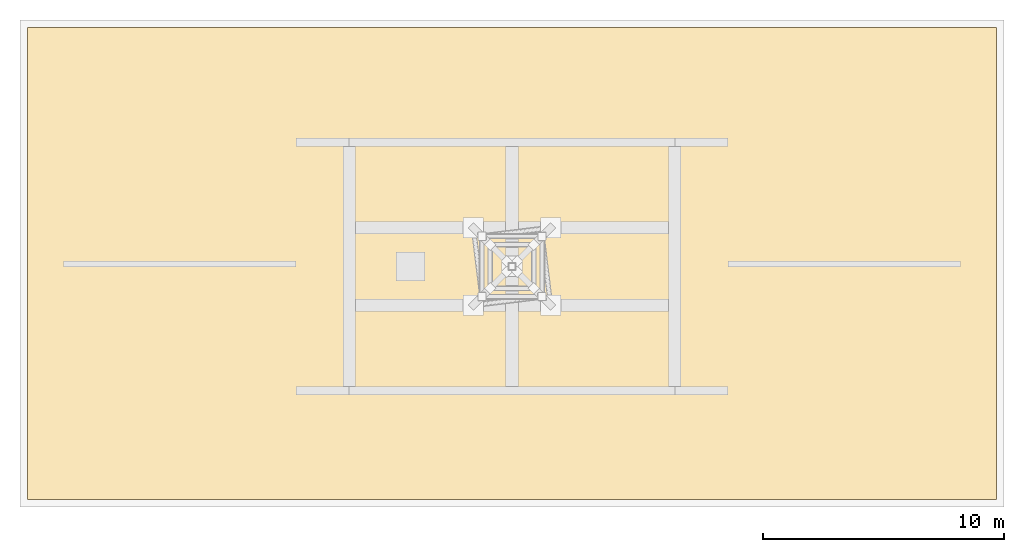
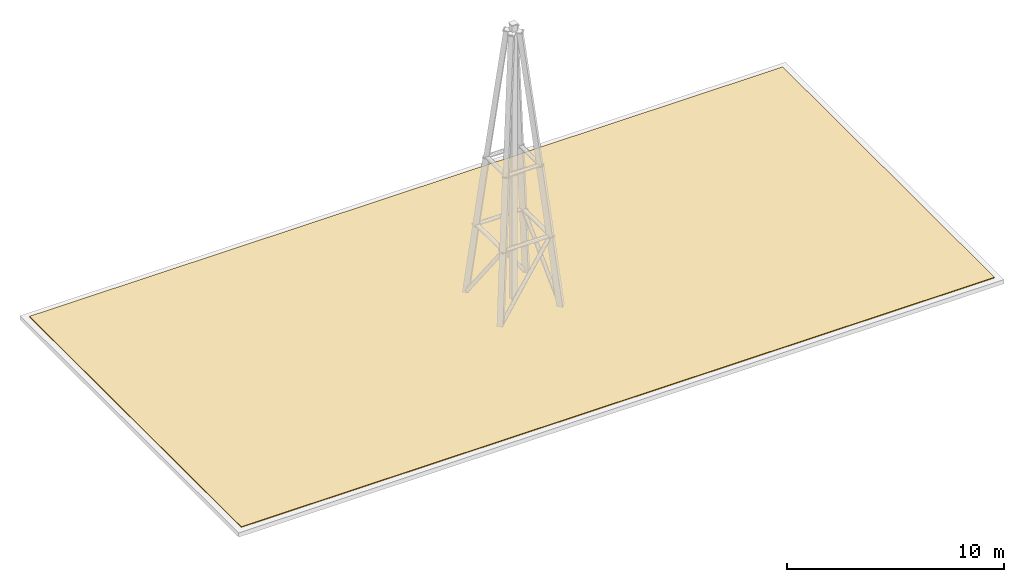
# One storey, part 2 of 2: 1 covering.
"""IFC4 building model written with IfcOpenShell, lengths in metres."""

from ifc_helpers import new_model, si_unit, direction, frame, origin, place, context, subcontext, project, spatial, polyline, outline, extrude, material, layer, layer_set, type_object, element, save


model = new_model("IFC4")

# Units and contexts
model_context = context("Model", 3, precision=1e-05, world=origin(), true_north=direction((0.0, 1.0)))
body_context = subcontext(model_context, "Body", "Model", "MODEL_VIEW")
ifc_project = project(units=[si_unit("LENGTHUNIT", "METRE"), si_unit("AREAUNIT", "SQUARE_METRE"), si_unit("VOLUMEUNIT", "CUBIC_METRE"), si_unit("PLANEANGLEUNIT", "RADIAN"), si_unit("MASSUNIT", "GRAM", prefix="KILO")], contexts=[model_context])

# Site, building, storey
site_placement = place(None, origin())
site = spatial("IfcSite", under=ifc_project, at=site_placement, CompositionType="ELEMENT")
building_placement = place(site_placement, origin())
building = spatial("IfcBuilding", under=site, at=building_placement, Name="Velakula Bourse", CompositionType="ELEMENT")
storey_placement = place(building_placement, frame((0.0, 0.0, 312.5)))
storey = spatial("IfcBuildingStorey", under=building, at=storey_placement, Name="RF", CompositionType="ELEMENT", Elevation=312.5)

# Covering
ifc_material = material(Name="Modified bitumen SBS waterproofing membrane", Category="bitumen")
ifc_layer = layer(ifc_material, 0.044921875, Name="Modified bitumen SBS waterproofing membrane", Category="bitumen")
ifc_layer_set = layer_set([ifc_layer], Name="Modified bitumen SBS waterproofing membrane")
covering_type = type_object("IfcCoveringType", Name="COV-ROOF-SBS-45", PredefinedType="ROOFING", material=ifc_layer_set)
covering_placement = place(storey_placement, origin())
element("IfcCovering", 1, at=covering_placement, inside=storey, type_object=covering_type, Name="RF SBS Waterproofing Roof Membrane 1", PredefinedType="ROOFING", context=body_context, shape_type="SweptSolid", body=[
    extrude(outline(polyline([(20.080078125, 9.89990234375), (20.080078125, -9.659912109375), (-20.080078125, -9.659912109375), (-20.080078125, 9.89990234375), (20.080078125, 9.89990234375)])), origin(), (0.0, 0.0, 1.0), 0.044921875),
])

save(model, "model.ifc")
